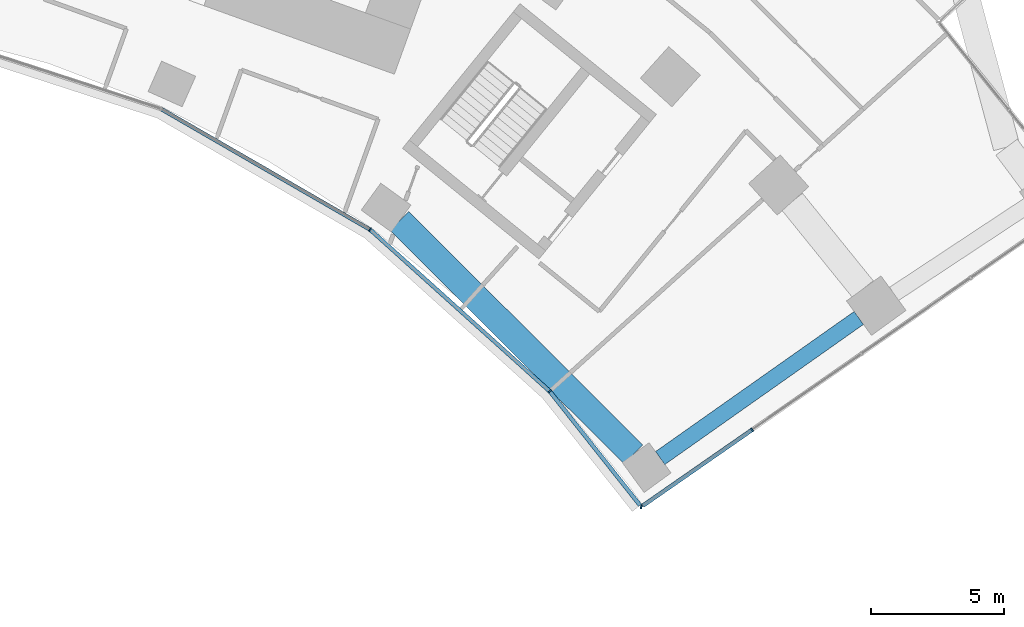
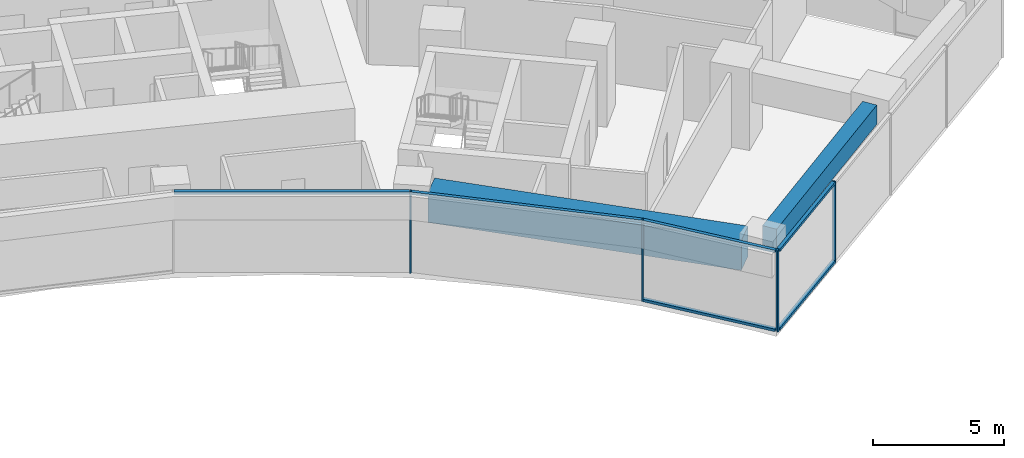
# One storey, part 9 of 24: 10 members, 2 beams, 2 elements without a shape of their own.
"""IFC4 building model written with IfcOpenShell, lengths in metres."""

from ifc_helpers import new_model, si_unit, direction, frame, origin, origin_2d, place, context, subcontext, project, spatial, rectangle, extrude, material, layer, layer_set, material_profile, profile_set, type_object, element, aggregate, save


model = new_model("IFC4")

# Units and contexts
model_context = context("Model", 3, precision=1e-05, world=origin(), true_north=direction((0.0, 1.0)))
body_context = subcontext(model_context, "Body", "Model", "MODEL_VIEW")
ifc_project = project(units=[si_unit("LENGTHUNIT", "METRE"), si_unit("AREAUNIT", "SQUARE_METRE"), si_unit("VOLUMEUNIT", "CUBIC_METRE"), si_unit("PLANEANGLEUNIT", "RADIAN"), si_unit("MASSUNIT", "GRAM", prefix="KILO")], contexts=[model_context])

# Site, building, storey
site_placement = place(None, origin())
site = spatial("IfcSite", under=ifc_project, at=site_placement, CompositionType="ELEMENT")
building_placement = place(site_placement, origin())
building = spatial("IfcBuilding", under=site, at=building_placement, Name="Stone Belt Terrace Tower", CompositionType="ELEMENT")
storey_placement = place(building_placement, frame((0.0, 0.0, 64.199951171875)))
storey = spatial("IfcBuildingStorey", under=building, at=storey_placement, Name="L15", CompositionType="ELEMENT", Elevation=64.199951171875)

# Curtain wall, members
ifc_material_1 = material(Name="Aluminium 6063-T6 anodised frame", Category="aluminium")
ifc_layer_1 = layer(ifc_material_1, 0.14990234375)
ifc_layer_set_1 = layer_set([ifc_layer_1], Name="CW-B unitised concave-face curtain wall")
curtain_wall_type_1 = type_object("IfcCurtainWallType", Name="CW-B unitised concave-face curtain wall", PredefinedType="NOTDEFINED", material=ifc_layer_set_1)
curtain_wall_1_placement = place(storey_placement, origin())
curtain_wall_1 = element("IfcCurtainWall", 1, at=curtain_wall_1_placement, inside=storey, type_object=curtain_wall_type_1, Name="CW-B concave face L15", PredefinedType="NOTDEFINED")
ifc_material_profile_1 = material_profile(ifc_material_1, rectangle(XDim=0.14990234375, YDim=0.050048828125, at=origin_2d()), Name="Aluminium 6063-T6 50x150")
ifc_profile_set_1 = profile_set([ifc_material_profile_1], Name="Aluminium 6063-T6 anodised frame")
member_type_1 = type_object("IfcMemberType", Name="CW-B mullion 50 x 150", PredefinedType="MULLION", material=ifc_profile_set_1)
member_1_placement = place(storey_placement, frame((25.5244140625, 35.13134765625, 0.0), z_axis=(0.0, 0.0, 1.0), x_axis=(0.587785252292, 0.809016994375, 0.0)))
member_1 = element("IfcMember", 2, at=member_1_placement, type_object=member_type_1, Name="CW-B mullion 9", PredefinedType="MULLION", context=body_context, shape_type="SweptSolid", body=[
    extrude(rectangle(XDim=0.14990234375, YDim=0.050048828125, at=origin_2d()), origin(), (0.0, 0.0, 1.0), 3.800048828125),
])
member_2_placement = place(storey_placement, frame((32.27197265625, 29.0556640625, 0.0), z_axis=(0.0, 0.0, 1.0), x_axis=(0.729005355149, 0.684507992768, 0.0)))
member_2 = element("IfcMember", 3, at=member_2_placement, type_object=member_type_1, Name="CW-B mullion 10", PredefinedType="MULLION", context=body_context, shape_type="SweptSolid", body=[
    extrude(rectangle(XDim=0.14990234375, YDim=0.050048828125, at=origin_2d()), origin(), (0.0, 0.0, 1.0), 3.800048828125),
])
ifc_material_profile_2 = material_profile(ifc_material_1, rectangle(XDim=0.14990234375, YDim=0.1201171875, at=origin_2d()), Name="Aluminium 6063-T6 150x120")
ifc_profile_set_2 = profile_set([ifc_material_profile_2], Name="Aluminium 6063-T6 anodised frame")
member_type_2 = type_object("IfcMemberType", Name="CW-B transom 120 x 150", PredefinedType="USERDEFINED", material=ifc_profile_set_2)
member_3_placement = place(storey_placement, frame((17.690673828125, 39.654052734375, 3.739990234375), z_axis=(0.866019133895, -0.500010859609, 0.0), x_axis=(0.500010859609, 0.866019133895, 0.0)))
member_3 = element("IfcMember", 4, at=member_3_placement, type_object=member_type_2, Name="CW-B transom 8.1", ObjectType="TRANSOM", PredefinedType="USERDEFINED", context=body_context, shape_type="SweptSolid", body=[
    extrude(rectangle(XDim=0.14990234375, YDim=0.1201171875, at=origin_2d()), origin(), (0.0, 0.0, 1.0), 9.012939453125),
])
member_4_placement = place(storey_placement, frame((25.548583984375, 35.109375, 3.739990234375), z_axis=(0.743140632335, -0.669135263286, 0.0), x_axis=(0.669135263286, 0.743140632335, 0.0)))
member_4 = element("IfcMember", 5, at=member_4_placement, type_object=member_type_2, Name="CW-B transom 9.1", ObjectType="TRANSOM", PredefinedType="USERDEFINED", context=body_context, shape_type="SweptSolid", body=[
    extrude(rectangle(XDim=0.14990234375, YDim=0.1201171875, at=origin_2d()), origin(), (0.0, 0.0, 1.0), 9.01611328125),
])
member_5_placement = place(storey_placement, frame((32.291259765625, 29.03125, 0.06005859375), z_axis=(0.621067582293, -0.783757014785, 0.0), x_axis=(0.783757014785, 0.621067582293, 0.0)))
member_5 = element("IfcMember", 6, at=member_5_placement, type_object=member_type_2, Name="CW-B transom 10.1", ObjectType="TRANSOM", PredefinedType="USERDEFINED", context=body_context, shape_type="SweptSolid", body=[
    extrude(rectangle(XDim=0.14990234375, YDim=0.1201171875, at=origin_2d()), origin(), (0.0, 0.0, 1.0), 5.435302734375),
])
member_6_placement = place(storey_placement, frame((32.291259765625, 29.03125, 3.739990234375), z_axis=(0.621067582293, -0.783757014785, 0.0), x_axis=(0.783757014785, 0.621067582293, 0.0)))
member_6 = element("IfcMember", 7, at=member_6_placement, type_object=member_type_2, Name="CW-B transom 10.2", ObjectType="TRANSOM", PredefinedType="USERDEFINED", context=body_context, shape_type="SweptSolid", body=[
    extrude(rectangle(XDim=0.14990234375, YDim=0.1201171875, at=origin_2d()), origin(), (0.0, 0.0, 1.0), 5.435302734375),
])
aggregate(curtain_wall_1, [member_1, member_2, member_3, member_4, member_5, member_6])

ifc_layer_2 = layer(ifc_material_1, 0.14990234375)
ifc_layer_set_2 = layer_set([ifc_layer_2], Name="CW-C stick curtain wall, horn ends and notches")
curtain_wall_type_2 = type_object("IfcCurtainWallType", Name="CW-C stick curtain wall, horn ends and notches", PredefinedType="NOTDEFINED", material=ifc_layer_set_2)
curtain_wall_2_placement = place(storey_placement, origin())
curtain_wall_2 = element("IfcCurtainWall", 8, at=curtain_wall_2_placement, inside=storey, type_object=curtain_wall_type_2, Name="CW-C end face L15", PredefinedType="NOTDEFINED")
ifc_material_profile_3 = material_profile(ifc_material_1, rectangle(XDim=0.14990234375, YDim=0.06005859375, at=origin_2d()), Name="Aluminium 6063-T6 60x150")
ifc_profile_set_3 = profile_set([ifc_material_profile_3], Name="Aluminium 6063-T6 anodised frame")
member_type_3 = type_object("IfcMemberType", Name="CW-C mullion 60 x 150", PredefinedType="MULLION", material=ifc_profile_set_3)
member_7_placement = place(storey_placement, frame((35.710205078125, 24.716552734375, 0.0), z_axis=(0.0, 0.0, 1.0), x_axis=(0.146242262315, 0.989248806273, 0.0)))
member_7 = element("IfcMember", 9, at=member_7_placement, type_object=member_type_3, Name="CW-C mullion 1", PredefinedType="MULLION", context=body_context, shape_type="SweptSolid", body=[
    extrude(rectangle(XDim=0.14990234375, YDim=0.06005859375, at=origin_2d()), origin(), (0.0, 0.0, 1.0), 3.800048828125),
])
member_8_placement = place(storey_placement, frame((39.87451171875, 27.609375, 0.0), z_axis=(0.0, 0.0, 1.0), x_axis=(-0.570537322339, 0.821271674793, 0.0)))
member_8 = element("IfcMember", 10, at=member_8_placement, type_object=member_type_3, Name="CW-C mullion 2", PredefinedType="MULLION", context=body_context, shape_type="SweptSolid", body=[
    extrude(rectangle(XDim=0.14990234375, YDim=0.06005859375, at=origin_2d()), origin(), (0.0, 0.0, 1.0), 3.800048828125),
])
ifc_material_profile_4 = material_profile(ifc_material_1, rectangle(XDim=0.14990234375, YDim=0.1201171875, at=origin_2d()), Name="Aluminium 6063-T6 150x120")
ifc_profile_set_4 = profile_set([ifc_material_profile_4], Name="Aluminium 6063-T6 anodised frame")
member_type_4 = type_object("IfcMemberType", Name="CW-C transom 120 x 150", PredefinedType="USERDEFINED", material=ifc_profile_set_4)
member_9_placement = place(storey_placement, frame((35.7705078125, 24.75830078125, 0.06005859375), z_axis=(0.821265688171, 0.57054593981, 0.0), x_axis=(-0.57054593981, 0.821265688171, 0.0)))
member_9 = element("IfcMember", 11, at=member_9_placement, type_object=member_type_4, Name="CW-C transom 1.1", ObjectType="TRANSOM", PredefinedType="USERDEFINED", context=body_context, shape_type="SweptSolid", body=[
    extrude(rectangle(XDim=0.14990234375, YDim=0.1201171875, at=origin_2d()), origin(), (0.0, 0.0, 1.0), 4.967041015625),
])
member_10_placement = place(storey_placement, frame((35.7705078125, 24.75830078125, 3.739990234375), z_axis=(0.821265688171, 0.57054593981, 0.0), x_axis=(-0.57054593981, 0.821265688171, 0.0)))
member_10 = element("IfcMember", 12, at=member_10_placement, type_object=member_type_4, Name="CW-C transom 1.2", ObjectType="TRANSOM", PredefinedType="USERDEFINED", context=body_context, shape_type="SweptSolid", body=[
    extrude(rectangle(XDim=0.14990234375, YDim=0.1201171875, at=origin_2d()), origin(), (0.0, 0.0, 1.0), 4.967041015625),
])
aggregate(curtain_wall_2, [member_7, member_8, member_9, member_10])

# Beams
ifc_material_2 = material(Name="Concrete B60", Category="concrete")
ifc_material_profile_5 = material_profile(ifc_material_2, rectangle(XDim=0.60009765625, YDim=0.89990234375, at=origin_2d()), Name="RC 600x900")
ifc_profile_set_5 = profile_set([ifc_material_profile_5], Name="Concrete B60")
beam_type_1 = type_object("IfcBeamType", Name="Edge beam RC 600x900 B60", PredefinedType="SPANDREL", material=ifc_profile_set_5)
beam_1_placement = place(storey_placement, frame((36.420654296875, 26.548583984375, 3.030029296875), z_axis=(0.817201948871, 0.576351433381, 0.0), x_axis=(-0.576351433381, 0.817201948871, 0.0)))
element("IfcBeam", 13, at=beam_1_placement, inside=storey, type_object=beam_type_1, Name="Edge beam L15 B P to Q", PredefinedType="SPANDREL", context=body_context, shape_type="SweptSolid", body=[
    extrude(rectangle(XDim=0.60009765625, YDim=0.89990234375, at=origin_2d()), origin(), (0.0, 0.0, 1.0), 9.131103515625),
])
ifc_material_3 = material(Name="Concrete B80", Category="concrete")
ifc_material_profile_6 = material_profile(ifc_material_3, rectangle(XDim=1.0, YDim=1.39990234375, at=origin_2d()), Name="RC 1000x1400")
ifc_profile_set_6 = profile_set([ifc_material_profile_6], Name="Concrete B80")
beam_type_2 = type_object("IfcBeamType", Name="Transfer beam RC 1000x1400 B80", PredefinedType="BEAM", material=ifc_profile_set_6)
beam_2_placement = place(storey_placement, frame((26.62548828125, 35.4560546875, 2.780029296875), z_axis=(0.707755710064, -0.706457256225, 0.0), x_axis=(0.706457256225, 0.707755710064, 0.0)))
element("IfcBeam", 14, at=beam_2_placement, inside=storey, type_object=beam_type_2, Name="Transfer beam L15 PP28-PB", PredefinedType="BEAM", context=body_context, shape_type="SweptSolid", body=[
    extrude(rectangle(XDim=1.0, YDim=1.39990234375, at=origin_2d()), origin(), (0.0, 0.0, 1.0), 12.40966796875),
])

save(model, "model.ifc")
